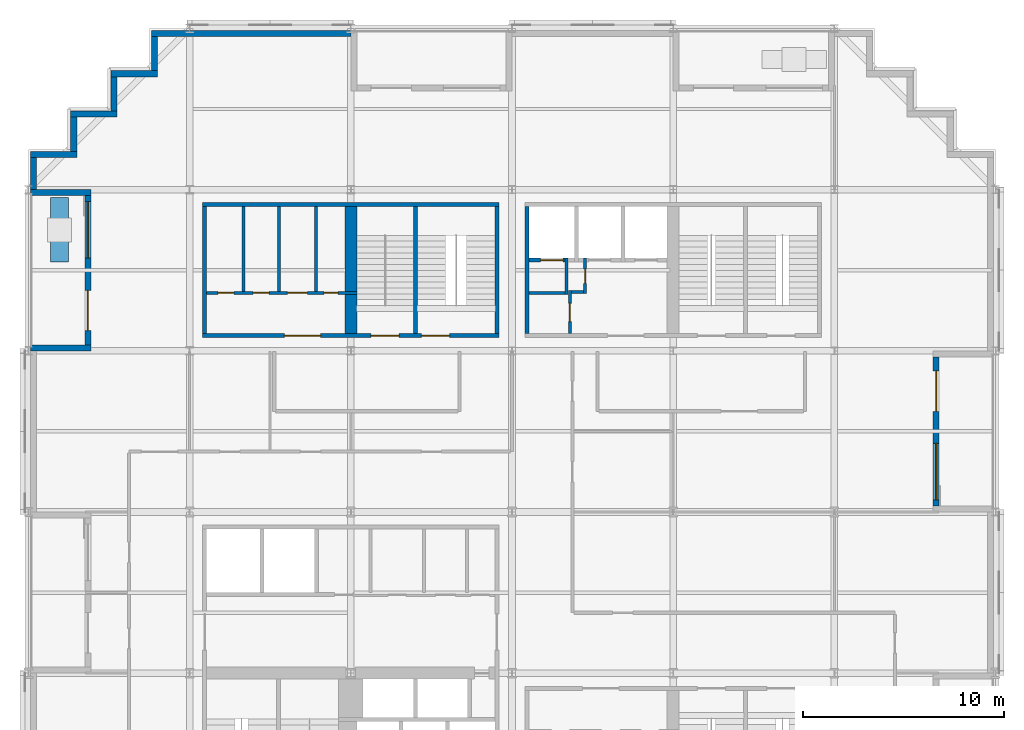
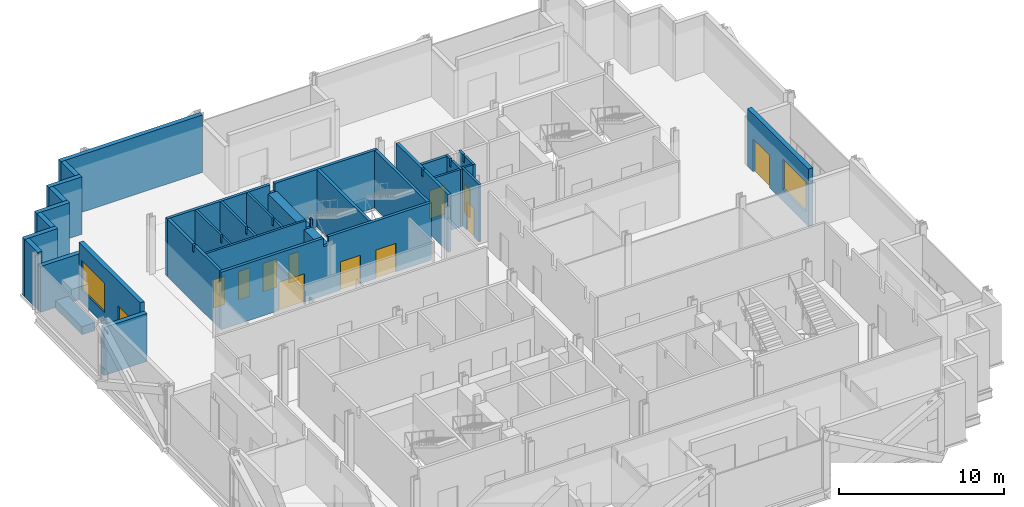
# One storey, part 8 of 13: 31 walls, 12 doors, 2 windows, 14 openings.
"""IFC4 building model written with IfcOpenShell, lengths in metres."""

from ifc_helpers import new_model, si_unit, direction, frame, frame_2d, origin, place, context, subcontext, project, spatial, polyline, rectangle, outline, extrude, material, layer, layer_set, type_object, element, fill, save


model = new_model("IFC4")

# Units and contexts
model_context = context("Model", 3, precision=1e-05, world=origin(), true_north=direction((0.0, 1.0)))
body_context = subcontext(model_context, "Body", "Model", "MODEL_VIEW")
ifc_project = project(units=[si_unit("LENGTHUNIT", "METRE"), si_unit("AREAUNIT", "SQUARE_METRE"), si_unit("VOLUMEUNIT", "CUBIC_METRE"), si_unit("PLANEANGLEUNIT", "RADIAN"), si_unit("MASSUNIT", "GRAM", prefix="KILO")], contexts=[model_context])

# Site, building, storey
site_placement = place(None, origin())
site = spatial("IfcSite", under=ifc_project, at=site_placement, CompositionType="ELEMENT")
building_placement = place(site_placement, origin())
building = spatial("IfcBuilding", under=site, at=building_placement, Name="Immortelle Media Tower", CompositionType="ELEMENT")
storey_placement = place(building_placement, frame((0.0, 0.0, 56.800048828125)))
storey = spatial("IfcBuildingStorey", under=building, at=storey_placement, Name="L09", CompositionType="ELEMENT", Elevation=56.800048828125)

# Wall, openings, doors
ifc_material_1 = material(Name="Fire-rated gypsum board", Category="gypsum")
ifc_layer_1 = layer(ifc_material_1, 0.02490234375)
ifc_material_2 = material(Name="Steel ASTM A653 SS Gr 50 stud frame with mineral wool", Category="steel")
ifc_layer_2 = layer(ifc_material_2, 0.10009765625)
ifc_layer_3 = layer(ifc_material_1, 0.02490234375)
ifc_layer_set_1 = layer_set([ifc_layer_1, ifc_layer_2, ifc_layer_3], Name="Steel ASTM A653 SS Gr 50 stud frame with mineral wool")
wall_type_1 = type_object("IfcWallType", Name="Core partition 150", PredefinedType="PARTITIONING", material=ifc_layer_set_1)
wall_1_placement = place(storey_placement, frame((8.85009765625, 34.875, 0.0), z_axis=(0.0, 0.0, 1.0), x_axis=(1.0, 0.0, 0.0)))
wall_1 = element("IfcWall", 1, at=wall_1_placement, inside=storey, type_object=wall_type_1, Name="Core partition NW", PredefinedType="PARTITIONING", context=body_context, shape_type="SweptSolid", body=[
    extrude(outline(polyline([(0.0, 0.0), (7.449951171875, 0.0), (7.449951171875, 4.25), (7.31689453125, 4.25), (7.31591796875, 3.6318359375), (6.98388671875, 3.6318359375), (6.98291015625, 4.25), (0.0, 4.25), (0.0, 0.0)])), frame((0.0, 0.074951171875, 0.0), z_axis=(0.0, -1.0, 0.0), x_axis=(1.0, 0.0, 0.0)), (0.0, 0.0, 1.0), 0.14990234375),
])
opening_1_placement = place(wall_1_placement, frame((0.550048828125, 0.0, 0.0)))
opening_1 = element("IfcOpeningElement", 2, at=opening_1_placement, cuts=wall_1, Name="Opening N2-K047", PredefinedType="OPENING", context=body_context, shape_type="SweptSolid", body=[
    extrude(rectangle(XDim=0.800048828125, YDim=2.10009765625, at=frame_2d((0.39990234375, 1.050048828125))), frame((0.0, 0.0849609375, 0.0), z_axis=(0.0, -1.0, 0.0), x_axis=(1.0, 0.0, 0.0)), (0.0, 0.0, 1.0), 0.169921875),
])
opening_2_placement = place(wall_1_placement, frame((2.300048828125, 0.0, 0.0)))
opening_2 = element("IfcOpeningElement", 3, at=opening_2_placement, cuts=wall_1, Name="Opening N2-K048", PredefinedType="OPENING", context=body_context, shape_type="SweptSolid", body=[
    extrude(rectangle(XDim=0.800048828125, YDim=2.10009765625, at=frame_2d((0.39990234375, 1.050048828125))), frame((0.0, 0.0849609375, 0.0), z_axis=(0.0, -1.0, 0.0), x_axis=(1.0, 0.0, 0.0)), (0.0, 0.0, 1.0), 0.169921875),
])
opening_3_placement = place(wall_1_placement, frame((4.0, 0.0, 0.0)))
opening_3 = element("IfcOpeningElement", 4, at=opening_3_placement, cuts=wall_1, Name="Opening N2-K049", PredefinedType="OPENING", context=body_context, shape_type="SweptSolid", body=[
    extrude(rectangle(XDim=1.0, YDim=2.10009765625, at=frame_2d((0.5, 1.050048828125))), frame((0.0, 0.0849609375, 0.0), z_axis=(0.0, -1.0, 0.0), x_axis=(1.0, 0.0, 0.0)), (0.0, 0.0, 1.0), 0.169921875),
])
opening_4_placement = place(wall_1_placement, frame((5.824951171875, 0.0, 0.0)))
opening_4 = element("IfcOpeningElement", 5, at=opening_4_placement, cuts=wall_1, Name="Opening N2-K050", PredefinedType="OPENING", context=body_context, shape_type="SweptSolid", body=[
    extrude(rectangle(XDim=0.699951171875, YDim=2.10009765625, at=frame_2d((0.35009765625, 1.050048828125))), frame((0.0, 0.0849609375, 0.0), z_axis=(0.0, -1.0, 0.0), x_axis=(1.0, 0.0, 0.0)), (0.0, 0.0, 1.0), 0.169921875),
])
ifc_material_3 = material(Name="Timber", Category="wood")
door_type_1 = type_object("IfcDoorType", Name="Accessible toilet door 1000 x 2100", OperationType="NOTDEFINED", PredefinedType="NOTDEFINED", material=ifc_material_3)
door_1_placement = place(opening_3_placement, origin())
door_1 = element("IfcDoor", 6, at=door_1_placement, inside=storey, type_object=door_type_1, Name="Accessible toilet N2-K049", OperationType="SINGLE_SWING_LEFT", OverallHeight=2.10009765625, OverallWidth=1.0, PredefinedType="NOTDEFINED", context=body_context, shape_type="SweptSolid", body=[
    extrude(rectangle(XDim=1.0, YDim=2.10009765625, at=frame_2d((0.5, 1.050048828125))), frame((0.0, 0.02490234375, 0.0), z_axis=(0.0, -1.0, 0.0), x_axis=(1.0, 0.0, 0.0)), (0.0, 0.0, 1.0), 0.050048828125),
])
fill(opening_3, door_1)
ifc_material_4 = material(Name="Galvanised steel door leaf and frame ASTM A653", Category="steel")
door_type_2 = type_object("IfcDoorType", Name="Service door 700 x 2100", OperationType="NOTDEFINED", PredefinedType="NOTDEFINED", material=ifc_material_4)
door_2_placement = place(opening_4_placement, origin())
door_2 = element("IfcDoor", 7, at=door_2_placement, inside=storey, type_object=door_type_2, Name="Service N2-K050", OperationType="SINGLE_SWING_RIGHT", OverallHeight=2.10009765625, OverallWidth=0.699951171875, PredefinedType="NOTDEFINED", context=body_context, shape_type="SweptSolid", body=[
    extrude(rectangle(XDim=0.699951171875, YDim=2.10009765625, at=frame_2d((0.35009765625, 1.050048828125))), frame((0.0, 0.02490234375, 0.0), z_axis=(0.0, -1.0, 0.0), x_axis=(1.0, 0.0, 0.0)), (0.0, 0.0, 1.0), 0.050048828125),
])
fill(opening_4, door_2)
door_type_3 = type_object("IfcDoorType", Name="Toilet door 800 x 2100", OperationType="NOTDEFINED", PredefinedType="NOTDEFINED", material=ifc_material_3)
door_3_placement = place(opening_1_placement, origin())
door_3 = element("IfcDoor", 8, at=door_3_placement, inside=storey, type_object=door_type_3, Name="Toilet N2-K047", OperationType="SINGLE_SWING_RIGHT", OverallHeight=2.10009765625, OverallWidth=0.800048828125, PredefinedType="NOTDEFINED", context=body_context, shape_type="SweptSolid", body=[
    extrude(rectangle(XDim=0.800048828125, YDim=2.10009765625, at=frame_2d((0.39990234375, 1.050048828125))), frame((0.0, 0.02490234375, 0.0), z_axis=(0.0, -1.0, 0.0), x_axis=(1.0, 0.0, 0.0)), (0.0, 0.0, 1.0), 0.050048828125),
])
fill(opening_1, door_3)
door_4_placement = place(opening_2_placement, origin())
door_4 = element("IfcDoor", 9, at=door_4_placement, inside=storey, type_object=door_type_3, Name="Toilet N2-K048", OperationType="SINGLE_SWING_RIGHT", OverallHeight=2.10009765625, OverallWidth=0.800048828125, PredefinedType="NOTDEFINED", context=body_context, shape_type="SweptSolid", body=[
    extrude(rectangle(XDim=0.800048828125, YDim=2.10009765625, at=frame_2d((0.39990234375, 1.050048828125))), frame((0.0, 0.02490234375, 0.0), z_axis=(0.0, -1.0, 0.0), x_axis=(1.0, 0.0, 0.0)), (0.0, 0.0, 1.0), 0.050048828125),
])
fill(opening_2, door_4)

# Walls
for number, where, z_axis, x_axis, name in (
    (10, (10.675048828125, 34.949951171875, 0.0), (0.0, 0.0, 1.0), (0.0, 1.0, 0.0), "Core partition NW"),
    (11, (12.425048828125, 34.949951171875, 0.0), (0.0, 0.0, 1.0), (0.0, 1.0, 0.0), "Core partition NW"),
    (12, (14.27490234375, 34.949951171875, 0.0), (0.0, 0.0, 1.0), (0.0, 1.0, 0.0), "Core partition NW"),
):
    element("IfcWall", number, at=place(storey_placement, frame(where, z_axis=z_axis, x_axis=x_axis)), inside=storey, type_object=wall_type_1, Name=name, PredefinedType="PARTITIONING", context=body_context, shape_type="SweptSolid", body=[
        extrude(outline(polyline([(0.0, 0.0), (4.199951171875, 0.0), (4.199951171875, 4.25), (1.138427734375, 4.25), (1.137451171875, 3.7080078125), (0.96240234375, 3.7080078125), (0.96142578125, 4.25), (0.0, 4.25), (0.0, 0.0)])), frame((0.0, 0.074951171875, 0.0), z_axis=(0.0, -1.0, 0.0), x_axis=(1.0, 0.0, 0.0)), (0.0, 0.0, 1.0), 0.14990234375),
    ])
wall_2_placement = place(storey_placement, frame((24.85009765625, 34.875, 0.0), z_axis=(0.0, 0.0, 1.0), x_axis=(1.0, 0.0, 0.0)))
element("IfcWall", 13, at=wall_2_placement, inside=storey, type_object=wall_type_1, Name="Core partition NE", PredefinedType="PARTITIONING", context=body_context, shape_type="SweptSolid", body=[
    extrude(rectangle(XDim=1.77490234375, YDim=0.14990234375, at=frame_2d((0.887451171875, 0.0))), origin(), (0.0, 0.0, 1.0), 4.25),
])
wall_3_placement = place(storey_placement, frame((26.699951171875, 34.800048828125, 0.0), z_axis=(0.0, 0.0, 1.0), x_axis=(0.0, 1.0, 0.0)))
element("IfcWall", 14, at=wall_3_placement, inside=storey, type_object=wall_type_1, Name="Core partition NE", PredefinedType="PARTITIONING", context=body_context, shape_type="SweptSolid", body=[
    extrude(outline(polyline([(0.0, 0.0), (1.800048828125, 0.0), (1.800048828125, 4.25), (1.28857421875, 4.25), (1.28759765625, 3.7080078125), (1.112548828125, 3.7080078125), (1.111572265625, 4.25), (0.0, 4.25), (0.0, 0.0)])), frame((0.0, 0.074951171875, 0.0), z_axis=(0.0, -1.0, 0.0), x_axis=(1.0, 0.0, 0.0)), (0.0, 0.0, 1.0), 0.14990234375),
])

# Wall, opening, door
wall_4_placement = place(storey_placement, frame((26.875, 32.85009765625, 0.0), z_axis=(0.0, 0.0, 1.0), x_axis=(0.0, 1.0, 0.0)))
wall_4 = element("IfcWall", 15, at=wall_4_placement, inside=storey, type_object=wall_type_1, Name="Core partition NE", PredefinedType="PARTITIONING", context=body_context, shape_type="SweptSolid", body=[
    extrude(rectangle(XDim=2.14990234375, YDim=0.14990234375, at=frame_2d((1.074951171875, 0.0))), origin(), (0.0, 0.0, 1.0), 4.25),
])
opening_5_placement = place(wall_4_placement, frame((0.60009765625, 0.0, 0.0)))
opening_5 = element("IfcOpeningElement", 16, at=opening_5_placement, cuts=wall_4, Name="Opening N2-K031", PredefinedType="OPENING", context=body_context, shape_type="SweptSolid", body=[
    extrude(rectangle(XDim=0.89990234375, YDim=2.10009765625, at=frame_2d((0.449951171875, 1.050048828125))), frame((0.0, 0.0849609375, 0.0), z_axis=(0.0, -1.0, 0.0), x_axis=(1.0, 0.0, 0.0)), (0.0, 0.0, 1.0), 0.169921875),
])
door_type_4 = type_object("IfcDoorType", Name="Service door 900 x 2100", OperationType="NOTDEFINED", PredefinedType="NOTDEFINED", material=ifc_material_4)
door_5_placement = place(opening_5_placement, origin())
door_5 = element("IfcDoor", 17, at=door_5_placement, inside=storey, type_object=door_type_4, Name="Service N2-K031", OperationType="SINGLE_SWING_RIGHT", OverallHeight=2.10009765625, OverallWidth=0.89990234375, PredefinedType="NOTDEFINED", context=body_context, shape_type="SweptSolid", body=[
    extrude(rectangle(XDim=0.89990234375, YDim=2.10009765625, at=frame_2d((0.449951171875, 1.050048828125))), frame((0.0, 0.02490234375, 0.0), z_axis=(0.0, -1.0, 0.0), x_axis=(1.0, 0.0, 0.0)), (0.0, 0.0, 1.0), 0.050048828125),
])
fill(opening_5, door_5)

# Wall
wall_5_placement = place(storey_placement, frame((26.949951171875, 34.925048828125, 0.0), z_axis=(0.0, 0.0, 1.0), x_axis=(1.0, 0.0, 0.0)))
element("IfcWall", 18, at=wall_5_placement, inside=storey, type_object=wall_type_1, Name="Core partition NE", PredefinedType="PARTITIONING", context=body_context, shape_type="SweptSolid", body=[
    extrude(rectangle(XDim=0.60009765625, YDim=0.14990234375, at=frame_2d((0.300048828125, 0.0))), origin(), (0.0, 0.0, 1.0), 4.25),
])

# Wall, opening, door
wall_6_placement = place(storey_placement, frame((27.625, 34.85009765625, 0.0), z_axis=(0.0, 0.0, 1.0), x_axis=(0.0, 1.0, 0.0)))
wall_6 = element("IfcWall", 19, at=wall_6_placement, inside=storey, type_object=wall_type_1, Name="Core partition NE", PredefinedType="PARTITIONING", context=body_context, shape_type="SweptSolid", body=[
    extrude(outline(polyline([(0.0, 0.0), (1.75, 0.0), (1.75, 4.25), (1.238525390625, 4.25), (1.237548828125, 3.7080078125), (1.0625, 3.7080078125), (1.0615234375, 4.25), (0.0, 4.25), (0.0, 0.0)])), frame((0.0, 0.074951171875, 0.0), z_axis=(0.0, -1.0, 0.0), x_axis=(1.0, 0.0, 0.0)), (0.0, 0.0, 1.0), 0.14990234375),
])
opening_6_placement = place(wall_6_placement, frame((0.5, 0.0, 0.0)))
opening_6 = element("IfcOpeningElement", 20, at=opening_6_placement, cuts=wall_6, Name="Opening N2-K032", PredefinedType="OPENING", context=body_context, shape_type="SweptSolid", body=[
    extrude(rectangle(XDim=0.699951171875, YDim=2.10009765625, at=frame_2d((0.35009765625, 1.050048828125))), frame((0.0, 0.0849609375, 0.0), z_axis=(0.0, -1.0, 0.0), x_axis=(1.0, 0.0, 0.0)), (0.0, 0.0, 1.0), 0.169921875),
])
door_6_placement = place(opening_6_placement, origin())
door_6 = element("IfcDoor", 21, at=door_6_placement, inside=storey, type_object=door_type_2, Name="Service N2-K032", OperationType="SINGLE_SWING_RIGHT", OverallHeight=2.10009765625, OverallWidth=0.699951171875, PredefinedType="NOTDEFINED", context=body_context, shape_type="SweptSolid", body=[
    extrude(rectangle(XDim=0.699951171875, YDim=2.10009765625, at=frame_2d((0.35009765625, 1.050048828125))), frame((0.0, 0.02490234375, 0.0), z_axis=(0.0, -1.0, 0.0), x_axis=(1.0, 0.0, 0.0)), (0.0, 0.0, 1.0), 0.050048828125),
])
fill(opening_6, door_6)

# Walls
ifc_layer_4 = layer(ifc_material_1, 0.03759765625)
ifc_layer_5 = layer(ifc_material_2, 0.125)
ifc_layer_6 = layer(ifc_material_1, 0.03759765625)
ifc_layer_set_2 = layer_set([ifc_layer_4, ifc_layer_5, ifc_layer_6], Name="Steel ASTM A653 SS Gr 50 stud frame with mineral wool")
wall_type_2 = type_object("IfcWallType", Name="Core shaft wall 200", PredefinedType="PARTITIONING", material=ifc_layer_set_2)
for number, where, z_axis, x_axis, name in (
    (22, (8.75, 32.85009765625, 0.0), (0.0, 0.0, 1.0), (0.0, 1.0, 0.0), "Core shaft wall NW"),
    (23, (24.75, 32.85009765625, 0.0), (0.0, 0.0, 1.0), (0.0, 1.0, 0.0), "Core shaft wall NE"),
):
    element("IfcWall", number, at=place(storey_placement, frame(where, z_axis=z_axis, x_axis=x_axis)), inside=storey, type_object=wall_type_2, Name=name, PredefinedType="PARTITIONING", context=body_context, shape_type="SweptSolid", body=[
        extrude(outline(polyline([(0.0, 0.0), (6.2998046875, 0.0), (6.300048828125, 4.25), (3.238525390625, 4.25), (3.237548828125, 3.7080078125), (3.0625, 3.7080078125), (3.0615234375, 4.25), (0.0, 4.25), (0.0, 0.0)])), frame((0.0, 0.10009765625, 0.0), z_axis=(0.0, -1.0, 0.0), x_axis=(1.0, 0.0, 0.0)), (0.0, 0.0, 1.0), 0.199951171875),
    ])

# Wall, opening, door
wall_7_placement = place(storey_placement, frame((24.85009765625, 36.5, 0.0), z_axis=(0.0, 0.0, 1.0), x_axis=(1.0, 0.0, 0.0)))
wall_7 = element("IfcWall", 24, at=wall_7_placement, inside=storey, type_object=wall_type_2, Name="Core shaft wall NE", PredefinedType="PARTITIONING", context=body_context, shape_type="SweptSolid", body=[
    extrude(rectangle(XDim=1.77490234375, YDim=0.199951171875, at=frame_2d((0.887451171875, 0.0))), origin(), (0.0, 0.0, 1.0), 4.25),
])
opening_7_placement = place(wall_7_placement, frame((0.574951171875, 0.0, 0.0)))
opening_7 = element("IfcOpeningElement", 25, at=opening_7_placement, cuts=wall_7, Name="Opening LD", PredefinedType="OPENING", context=body_context, shape_type="SweptSolid", body=[
    extrude(rectangle(XDim=1.10009765625, YDim=2.10009765625, at=frame_2d((0.550048828125, 1.050048828125))), frame((0.0, 0.10986328125, 0.0), z_axis=(0.0, -1.0, 0.0), x_axis=(1.0, 0.0, 0.0)), (0.0, 0.0, 1.0), 0.219970703125),
])
ifc_material_5 = material(Name="Stainless steel AISI 304", Category="steel")
door_type_5 = type_object("IfcDoorType", Name="Landing door 1100 x 2100", OperationType="SLIDING_TO_LEFT", PredefinedType="NOTDEFINED", material=ifc_material_5)
door_7_placement = place(opening_7_placement, origin())
door_7 = element("IfcDoor", 26, at=door_7_placement, inside=storey, type_object=door_type_5, Name="Landing door LR1 L09", OperationType="SLIDING_TO_LEFT", OverallHeight=2.10009765625, OverallWidth=1.10009765625, PredefinedType="NOTDEFINED", context=body_context, shape_type="SweptSolid", body=[
    extrude(rectangle(XDim=1.10009765625, YDim=2.10009765625, at=frame_2d((0.550048828125, 1.050048828125))), frame((0.0, 0.02490234375, 0.0), z_axis=(0.0, -1.0, 0.0), x_axis=(1.0, 0.0, 0.0)), (0.0, 0.0, 1.0), 0.050048828125),
])
fill(opening_7, door_7)

# Wall
ifc_material_6 = material(Name="Pale aluminium cladding panel", Category="aluminium")
ifc_layer_7 = layer(ifc_material_6, 0.030029296875)
ifc_layer_8 = layer(ifc_material_2, 0.257568359375)
ifc_material_7 = material(Name="Moisture-resistant gypsum board", Category="gypsum")
ifc_layer_9 = layer(ifc_material_7, 0.012451171875)
ifc_layer_set_3 = layer_set([ifc_layer_7, ifc_layer_8, ifc_layer_9], Name="Steel ASTM A653 SS Gr 50 stud frame with mineral wool")
wall_type_3 = type_object("IfcWallType", Name="Facade wall 300", PredefinedType="SOLIDWALL", material=ifc_layer_set_3)
wall_8_placement = place(storey_placement, frame((0.25, 41.60009765625, 0.0), z_axis=(0.0, 0.0, 1.0), x_axis=(0.0, -1.0, 0.0)))
element("IfcWall", 27, at=wall_8_placement, inside=storey, type_object=wall_type_3, Name="Facade wall L09 W0", PredefinedType="SOLIDWALL", context=body_context, shape_type="SweptSolid", body=[
    extrude(rectangle(XDim=1.60009765625, YDim=0.300048828125, at=frame_2d((0.800048828125, 0.0))), origin(), (0.0, 0.0, 1.0), 4.25),
])

# Wall, openings, door, window
wall_9_placement = place(storey_placement, frame((2.949951171875, 39.699951171875, 0.0), z_axis=(0.0, 0.0, 1.0), x_axis=(0.0, -1.0, 0.0)))
wall_9 = element("IfcWall", 28, at=wall_9_placement, inside=storey, type_object=wall_type_3, Name="Loggia wall L09 W0", PredefinedType="SOLIDWALL", context=body_context, shape_type="SweptSolid", body=[
    extrude(rectangle(XDim=7.39990234375, YDim=0.300048828125, at=frame_2d((3.699951171875, 0.0))), origin(), (0.0, 0.0, 1.0), 4.25),
])
opening_8_placement = place(wall_9_placement, frame((0.300048828125, 0.0, 0.89990234375)))
opening_8 = element("IfcOpeningElement", 29, at=opening_8_placement, cuts=wall_9, Name="Opening W1", PredefinedType="OPENING", context=body_context, shape_type="SweptSolid", body=[
    extrude(rectangle(XDim=2.800048828125, YDim=2.199951171875, at=frame_2d((1.39990234375, 1.10009765625))), frame((0.0, 0.159912109375, 0.0), z_axis=(0.0, -1.0, 0.0), x_axis=(1.0, 0.0, 0.0)), (0.0, 0.0, 1.0), 0.320068359375),
])
opening_9_placement = place(wall_9_placement, frame((4.699951171875, 0.0, 0.0)))
opening_9 = element("IfcOpeningElement", 30, at=opening_9_placement, cuts=wall_9, Name="Opening N2-E001", PredefinedType="OPENING", context=body_context, shape_type="SweptSolid", body=[
    extrude(rectangle(XDim=2.0, YDim=2.39990234375, at=frame_2d((1.0, 1.199951171875))), frame((0.0, 0.159912109375, 0.0), z_axis=(0.0, -1.0, 0.0), x_axis=(1.0, 0.0, 0.0)), (0.0, 0.0, 1.0), 0.320068359375),
])
ifc_material_8 = material(Name="Aluminium frame, glazed leaves", Category="aluminium")
door_type_6 = type_object("IfcDoorType", Name="Loggia door 2000 x 2400", OperationType="DOUBLE_DOOR_SINGLE_SWING", PredefinedType="DOOR", material=ifc_material_8)
door_8_placement = place(opening_9_placement, origin())
door_8 = element("IfcDoor", 31, at=door_8_placement, inside=storey, type_object=door_type_6, Name="Door N2-E001", OperationType="DOUBLE_DOOR_SINGLE_SWING", OverallHeight=2.39990234375, OverallWidth=2.0, PredefinedType="DOOR", context=body_context, shape_type="SweptSolid", body=[
    extrude(rectangle(XDim=2.0, YDim=2.39990234375, at=frame_2d((1.0, 1.199951171875))), frame((0.0, 0.02490234375, 0.0), z_axis=(0.0, -1.0, 0.0), x_axis=(1.0, 0.0, 0.0)), (0.0, 0.0, 1.0), 0.050048828125),
])
fill(opening_9, door_8)
ifc_material_9 = material(Name="Aluminium frame", Category="aluminium")
window_type = type_object("IfcWindowType", Name="Window 2800 x 2200", PartitioningType="SINGLE_PANEL", PredefinedType="WINDOW", material=ifc_material_9)
window_1_placement = place(opening_8_placement, origin())
window_1 = element("IfcWindow", 32, at=window_1_placement, inside=storey, type_object=window_type, Name="Window L09 L09-R0-B0", OverallHeight=2.199951171875, OverallWidth=2.800048828125, PartitioningType="SINGLE_PANEL", PredefinedType="WINDOW", context=body_context, shape_type="SweptSolid", body=[
    extrude(rectangle(XDim=2.800048828125, YDim=2.199951171875, at=frame_2d((1.39990234375, 1.10009765625))), frame((0.0, 0.030029296875, 0.0), z_axis=(0.0, -1.0, 0.0), x_axis=(1.0, 0.0, 0.0)), (0.0, 0.0, 1.0), 0.06005859375),
])
fill(opening_8, window_1)

# Walls
wall_10_placement = place(storey_placement, frame((0.10009765625, 39.85009765625, 0.0), z_axis=(0.0, 0.0, 1.0), x_axis=(1.0, 0.0, 0.0)))
element("IfcWall", 33, at=wall_10_placement, inside=storey, type_object=wall_type_3, Name="Loggia cheek wall L09 W", PredefinedType="SOLIDWALL", context=body_context, shape_type="SweptSolid", body=[
    extrude(rectangle(XDim=3.0, YDim=0.300048828125, at=frame_2d((1.5, 0.0))), origin(), (0.0, 0.0, 1.0), 3.389892578125),
])
wall_11_placement = place(storey_placement, frame((0.10009765625, 32.14990234375, 0.0), z_axis=(0.0, 0.0, 1.0), x_axis=(1.0, 0.0, 0.0)))
element("IfcWall", 34, at=wall_11_placement, inside=storey, type_object=wall_type_3, Name="Loggia cheek wall L09 W", PredefinedType="SOLIDWALL", context=body_context, shape_type="SweptSolid", body=[
    extrude(rectangle(XDim=3.0, YDim=0.300048828125, at=frame_2d((1.5, 0.0))), origin(), (0.0, 0.0, 1.0), 3.552978515625),
])

# Wall, openings, door, window
wall_12_placement = place(storey_placement, frame((45.050048828125, 24.300048828125, 0.0), z_axis=(0.0, 0.0, 1.0), x_axis=(0.0, 1.0, 0.0)))
wall_12 = element("IfcWall", 35, at=wall_12_placement, inside=storey, type_object=wall_type_3, Name="Loggia wall L09 E14", PredefinedType="SOLIDWALL", context=body_context, shape_type="SweptSolid", body=[
    extrude(rectangle(XDim=7.39990234375, YDim=0.300048828125, at=frame_2d((3.699951171875, 0.0))), origin(), (0.0, 0.0, 1.0), 4.25),
])
opening_10_placement = place(wall_12_placement, frame((0.300048828125, 0.0, 0.89990234375)))
opening_10 = element("IfcOpeningElement", 36, at=opening_10_placement, cuts=wall_12, Name="Opening W1", PredefinedType="OPENING", context=body_context, shape_type="SweptSolid", body=[
    extrude(rectangle(XDim=2.800048828125, YDim=2.199951171875, at=frame_2d((1.39990234375, 1.10009765625))), frame((0.0, 0.159912109375, 0.0), z_axis=(0.0, -1.0, 0.0), x_axis=(1.0, 0.0, 0.0)), (0.0, 0.0, 1.0), 0.320068359375),
])
opening_11_placement = place(wall_12_placement, frame((4.699951171875, 0.0, 0.0)))
opening_11 = element("IfcOpeningElement", 37, at=opening_11_placement, cuts=wall_12, Name="Opening N2-E006", PredefinedType="OPENING", context=body_context, shape_type="SweptSolid", body=[
    extrude(rectangle(XDim=2.0, YDim=2.39990234375, at=frame_2d((1.0, 1.199951171875))), frame((0.0, 0.159912109375, 0.0), z_axis=(0.0, -1.0, 0.0), x_axis=(1.0, 0.0, 0.0)), (0.0, 0.0, 1.0), 0.320068359375),
])
door_9_placement = place(opening_11_placement, origin())
door_9 = element("IfcDoor", 38, at=door_9_placement, inside=storey, type_object=door_type_6, Name="Door N2-E006", OperationType="DOUBLE_DOOR_SINGLE_SWING", OverallHeight=2.39990234375, OverallWidth=2.0, PredefinedType="DOOR", context=body_context, shape_type="SweptSolid", body=[
    extrude(rectangle(XDim=2.0, YDim=2.39990234375, at=frame_2d((1.0, 1.199951171875))), frame((0.0, 0.02490234375, 0.0), z_axis=(0.0, -1.0, 0.0), x_axis=(1.0, 0.0, 0.0)), (0.0, 0.0, 1.0), 0.050048828125),
])
fill(opening_11, door_9)
window_2_placement = place(opening_10_placement, origin())
window_2 = element("IfcWindow", 39, at=window_2_placement, inside=storey, type_object=window_type, Name="Window L09 L09-R14-B2", OverallHeight=2.199951171875, OverallWidth=2.800048828125, PartitioningType="SINGLE_PANEL", PredefinedType="WINDOW", context=body_context, shape_type="SweptSolid", body=[
    extrude(rectangle(XDim=2.800048828125, YDim=2.199951171875, at=frame_2d((1.39990234375, 1.10009765625))), frame((0.0, 0.030029296875, 0.0), z_axis=(0.0, -1.0, 0.0), x_axis=(1.0, 0.0, 0.0)), (0.0, 0.0, 1.0), 0.06005859375),
])
fill(opening_10, window_2)

# Walls
wall_13_placement = place(storey_placement, frame((16.0, 47.75, 0.0), z_axis=(0.0, 0.0, 1.0), x_axis=(-1.0, 0.0, 0.0)))
element("IfcWall", 40, at=wall_13_placement, inside=storey, type_object=wall_type_3, Name="Facade wall L09 N21", PredefinedType="SOLIDWALL", context=body_context, shape_type="SweptSolid", body=[
    extrude(rectangle(XDim=9.89990234375, YDim=0.300048828125, at=frame_2d((4.949951171875, 0.0))), origin(), (0.0, 0.0, 1.0), 4.25),
])
wall_14_placement = place(storey_placement, frame((6.25, 47.60009765625, 0.0), z_axis=(0.0, 0.0, 1.0), x_axis=(0.0, -1.0, 0.0)))
element("IfcWall", 41, at=wall_14_placement, inside=storey, type_object=wall_type_3, Name="Facade wall L09 W22", PredefinedType="SOLIDWALL", context=body_context, shape_type="SweptSolid", body=[
    extrude(rectangle(XDim=1.7001953125, YDim=0.300048828125, at=frame_2d((0.85009765625, 0.0))), origin(), (0.0, 0.0, 1.0), 4.25),
])
wall_15_placement = place(storey_placement, frame((6.39990234375, 45.75, 0.0), z_axis=(0.0, 0.0, 1.0), x_axis=(-1.0, 0.0, 0.0)))
element("IfcWall", 42, at=wall_15_placement, inside=storey, type_object=wall_type_3, Name="Facade wall L09 N23", PredefinedType="SOLIDWALL", context=body_context, shape_type="SweptSolid", body=[
    extrude(rectangle(XDim=2.2998046875, YDim=0.300048828125, at=frame_2d((1.14990234375, 0.0))), origin(), (0.0, 0.0, 1.0), 4.25),
])
wall_16_placement = place(storey_placement, frame((4.25, 45.60009765625, 0.0), z_axis=(0.0, 0.0, 1.0), x_axis=(0.0, -1.0, 0.0)))
element("IfcWall", 43, at=wall_16_placement, inside=storey, type_object=wall_type_3, Name="Facade wall L09 W24", PredefinedType="SOLIDWALL", context=body_context, shape_type="SweptSolid", body=[
    extrude(rectangle(XDim=1.7001953125, YDim=0.300048828125, at=frame_2d((0.85009765625, 0.0))), origin(), (0.0, 0.0, 1.0), 4.25),
])
wall_17_placement = place(storey_placement, frame((4.39990234375, 43.75, 0.0), z_axis=(0.0, 0.0, 1.0), x_axis=(-1.0, 0.0, 0.0)))
element("IfcWall", 44, at=wall_17_placement, inside=storey, type_object=wall_type_3, Name="Facade wall L09 N25", PredefinedType="SOLIDWALL", context=body_context, shape_type="SweptSolid", body=[
    extrude(rectangle(XDim=2.2998046875, YDim=0.300048828125, at=frame_2d((1.14990234375, 0.0))), origin(), (0.0, 0.0, 1.0), 4.25),
])
wall_18_placement = place(storey_placement, frame((2.25, 43.60009765625, 0.0), z_axis=(0.0, 0.0, 1.0), x_axis=(0.0, -1.0, 0.0)))
element("IfcWall", 45, at=wall_18_placement, inside=storey, type_object=wall_type_3, Name="Facade wall L09 W26", PredefinedType="SOLIDWALL", context=body_context, shape_type="SweptSolid", body=[
    extrude(rectangle(XDim=1.7001953125, YDim=0.300048828125, at=frame_2d((0.85009765625, 0.0))), origin(), (0.0, 0.0, 1.0), 4.25),
])
wall_19_placement = place(storey_placement, frame((2.39990234375, 41.75, 0.0), z_axis=(0.0, 0.0, 1.0), x_axis=(-1.0, 0.0, 0.0)))
element("IfcWall", 46, at=wall_19_placement, inside=storey, type_object=wall_type_3, Name="Facade wall L09 N27", PredefinedType="SOLIDWALL", context=body_context, shape_type="SweptSolid", body=[
    extrude(rectangle(XDim=2.2998046875, YDim=0.300048828125, at=frame_2d((1.14990234375, 0.0))), origin(), (0.0, 0.0, 1.0), 4.25),
])
ifc_layer_10 = layer(ifc_material_6, 0.0029296875)
ifc_material_10 = material(Name="Steel ASTM A572 Gr 50 planter shell", Category="steel")
ifc_layer_11 = layer(ifc_material_10, 0.011962890625)
ifc_material_11 = material(Name="Planting substrate", Category="soil")
ifc_layer_12 = layer(ifc_material_11, 0.873046875)
ifc_layer_13 = layer(ifc_material_10, 0.011962890625)
ifc_layer_set_4 = layer_set([ifc_layer_10, ifc_layer_11, ifc_layer_12, ifc_layer_13], Name="Steel ASTM A572 Gr 50 planter shell")
wall_type_4 = type_object("IfcWallType", Name="Planter wall 900", PredefinedType="SOLIDWALL", material=ifc_layer_set_4)
wall_20_placement = place(storey_placement, frame((1.550048828125, 39.60009765625, 0.0), z_axis=(0.0, 0.0, 1.0), x_axis=(0.0, -1.0, 0.0)))
element("IfcWall", 47, at=wall_20_placement, inside=storey, type_object=wall_type_4, Name="Planter L09 W0", PredefinedType="SOLIDWALL", context=body_context, shape_type="SweptSolid", body=[
    extrude(rectangle(XDim=3.2001953125, YDim=0.89990234375, at=frame_2d((1.60009765625, 0.0))), origin(), (0.0, 0.0, 1.0), 0.599853515625),
])

# Wall, openings, doors
ifc_material_12 = material(Name="Concrete C60", Category="concrete")
ifc_layer_14 = layer(ifc_material_12, 0.199951171875)
ifc_layer_set_5 = layer_set([ifc_layer_14], Name="Concrete C60")
wall_type_5 = type_object("IfcWallType", Name="Stair shaft wall 200", PredefinedType="PARTITIONING", material=ifc_layer_set_5)
wall_21_placement = place(storey_placement, frame((8.64990234375, 32.75, 0.0), z_axis=(0.0, 0.0, 1.0), x_axis=(1.0, 0.0, 0.0)))
wall_21 = element("IfcWall", 48, at=wall_21_placement, inside=storey, type_object=wall_type_5, Name="Stair shaft wall NW", PredefinedType="PARTITIONING", context=body_context, shape_type="SweptSolid", body=[
    extrude(outline(polyline([(0.0, 0.0), (14.7001953125, 0.0), (14.699951171875, 4.25), (7.51708984375, 4.25), (7.51611328125, 3.6318359375), (7.18408203125, 3.6318359375), (7.18310546875, 4.25), (0.0, 4.25), (0.0, 0.0)])), frame((0.0, 0.10009765625, 0.0), z_axis=(0.0, -1.0, 0.0), x_axis=(1.0, 0.0, 0.0)), (0.0, 0.0, 1.0), 0.199951171875),
])
opening_12_placement = place(wall_21_placement, frame((4.050048828125, 0.0, 0.0)))
opening_12 = element("IfcOpeningElement", 49, at=opening_12_placement, cuts=wall_21, Name="Opening N2-K026", PredefinedType="OPENING", context=body_context, shape_type="SweptSolid", body=[
    extrude(rectangle(XDim=1.800048828125, YDim=2.10009765625, at=frame_2d((0.89990234375, 1.050048828125))), frame((0.0, 0.10986328125, 0.0), z_axis=(0.0, -1.0, 0.0), x_axis=(1.0, 0.0, 0.0)), (0.0, 0.0, 1.0), 0.219970703125),
])
opening_13_placement = place(wall_21_placement, frame((8.35009765625, 0.0, 0.0)))
opening_13 = element("IfcOpeningElement", 50, at=opening_13_placement, cuts=wall_21, Name="Opening N2-K028", PredefinedType="OPENING", context=body_context, shape_type="SweptSolid", body=[
    extrude(rectangle(XDim=1.39990234375, YDim=2.10009765625, at=frame_2d((0.699951171875, 1.050048828125))), frame((0.0, 0.10986328125, 0.0), z_axis=(0.0, -1.0, 0.0), x_axis=(1.0, 0.0, 0.0)), (0.0, 0.0, 1.0), 0.219970703125),
])
opening_14_placement = place(wall_21_placement, frame((10.85009765625, 0.0, 0.0)))
opening_14 = element("IfcOpeningElement", 51, at=opening_14_placement, cuts=wall_21, Name="Opening N2-K029", PredefinedType="OPENING", context=body_context, shape_type="SweptSolid", body=[
    extrude(rectangle(XDim=1.39990234375, YDim=2.10009765625, at=frame_2d((0.699951171875, 1.050048828125))), frame((0.0, 0.10986328125, 0.0), z_axis=(0.0, -1.0, 0.0), x_axis=(1.0, 0.0, 0.0)), (0.0, 0.0, 1.0), 0.219970703125),
])
door_type_7 = type_object("IfcDoorType", Name="Lift lobby door 1800 x 2100", OperationType="DOUBLE_DOOR_SINGLE_SWING", PredefinedType="NOTDEFINED", material=ifc_material_4)
door_10_placement = place(opening_12_placement, origin())
door_10 = element("IfcDoor", 52, at=door_10_placement, inside=storey, type_object=door_type_7, Name="Lift lobby N2-K026", OperationType="DOUBLE_DOOR_SINGLE_SWING", OverallHeight=2.10009765625, OverallWidth=1.800048828125, PredefinedType="NOTDEFINED", context=body_context, shape_type="SweptSolid", body=[
    extrude(rectangle(XDim=1.800048828125, YDim=2.10009765625, at=frame_2d((0.89990234375, 1.050048828125))), frame((0.0, 0.02490234375, 0.0), z_axis=(0.0, -1.0, 0.0), x_axis=(1.0, 0.0, 0.0)), (0.0, 0.0, 1.0), 0.050048828125),
])
fill(opening_12, door_10)
door_type_8 = type_object("IfcDoorType", Name="Stair door 1400 x 2100", OperationType="DOUBLE_DOOR_SINGLE_SWING", PredefinedType="NOTDEFINED", material=ifc_material_4)
door_11_placement = place(opening_13_placement, origin())
door_11 = element("IfcDoor", 53, at=door_11_placement, inside=storey, type_object=door_type_8, Name="Stair N2-K028", OperationType="DOUBLE_DOOR_SINGLE_SWING", OverallHeight=2.10009765625, OverallWidth=1.39990234375, PredefinedType="NOTDEFINED", context=body_context, shape_type="SweptSolid", body=[
    extrude(rectangle(XDim=1.39990234375, YDim=2.10009765625, at=frame_2d((0.699951171875, 1.050048828125))), frame((0.0, 0.02490234375, 0.0), z_axis=(0.0, -1.0, 0.0), x_axis=(1.0, 0.0, 0.0)), (0.0, 0.0, 1.0), 0.050048828125),
])
fill(opening_13, door_11)
door_12_placement = place(opening_14_placement, origin())
door_12 = element("IfcDoor", 54, at=door_12_placement, inside=storey, type_object=door_type_8, Name="Stair N2-K029", OperationType="DOUBLE_DOOR_SINGLE_SWING", OverallHeight=2.10009765625, OverallWidth=1.39990234375, PredefinedType="NOTDEFINED", context=body_context, shape_type="SweptSolid", body=[
    extrude(rectangle(XDim=1.39990234375, YDim=2.10009765625, at=frame_2d((0.699951171875, 1.050048828125))), frame((0.0, 0.02490234375, 0.0), z_axis=(0.0, -1.0, 0.0), x_axis=(1.0, 0.0, 0.0)), (0.0, 0.0, 1.0), 0.050048828125),
])
fill(opening_14, door_12)

# Walls
wall_22_placement = place(storey_placement, frame((8.64990234375, 39.25, 0.0), z_axis=(0.0, 0.0, 1.0), x_axis=(1.0, 0.0, 0.0)))
element("IfcWall", 55, at=wall_22_placement, inside=storey, type_object=wall_type_5, Name="Stair shaft wall NW", PredefinedType="PARTITIONING", context=body_context, shape_type="SweptSolid", body=[
    extrude(outline(polyline([(0.0, 0.0), (14.7001953125, 0.0), (14.699951171875, 4.25), (7.51708984375, 4.25), (7.51611328125, 3.6318359375), (7.18408203125, 3.6318359375), (7.18310546875, 4.25), (0.0, 4.25), (0.0, 0.0)])), frame((0.0, 0.10009765625, 0.0), z_axis=(0.0, -1.0, 0.0), x_axis=(1.0, 0.0, 0.0)), (0.0, 0.0, 1.0), 0.199951171875),
])
for number, where, z_axis, x_axis, name in (
    (56, (19.199951171875, 32.85009765625, 0.0), (0.0, 0.0, 1.0), (0.0, 1.0, 0.0), "Stair shaft wall NW"),
    (57, (23.25, 32.85009765625, 0.0), (0.0, 0.0, 1.0), (0.0, 1.0, 0.0), "Stair shaft wall NW"),
):
    element("IfcWall", number, at=place(storey_placement, frame(where, z_axis=z_axis, x_axis=x_axis)), inside=storey, type_object=wall_type_5, Name=name, PredefinedType="PARTITIONING", context=body_context, shape_type="SweptSolid", body=[
        extrude(rectangle(XDim=6.2998046875, YDim=0.199951171875, at=frame_2d((3.14990234375, 0.0))), origin(), (0.0, 0.0, 1.0), 4.25),
    ])
ifc_layer_15 = layer(ifc_material_12, 0.60009765625)
ifc_layer_set_6 = layer_set([ifc_layer_15], Name="Concrete C60")
wall_type_6 = type_object("IfcWallType", Name="Stair shaft wall 600", PredefinedType="PARTITIONING", material=ifc_layer_set_6)
wall_23_placement = place(storey_placement, frame((16.0, 32.85009765625, 0.0), z_axis=(0.0, 0.0, 1.0), x_axis=(0.0, 1.0, 0.0)))
element("IfcWall", 58, at=wall_23_placement, inside=storey, type_object=wall_type_6, Name="Stair shaft wall NW", PredefinedType="PARTITIONING", context=body_context, shape_type="SweptSolid", body=[
    extrude(rectangle(XDim=1.949951171875, YDim=0.60009765625, at=frame_2d((0.97509765625, 0.0))), origin(), (0.0, 0.0, 1.0), 3.6318359375),
])
wall_24_placement = place(storey_placement, frame((16.0, 34.949951171875, 0.0), z_axis=(0.0, 0.0, 1.0), x_axis=(0.0, 1.0, 0.0)))
element("IfcWall", 59, at=wall_24_placement, inside=storey, type_object=wall_type_6, Name="Stair shaft wall NW", PredefinedType="PARTITIONING", context=body_context, shape_type="SweptSolid", body=[
    extrude(rectangle(XDim=4.199951171875, YDim=0.60009765625, at=frame_2d((2.10009765625, 0.0))), origin(), (0.0, 0.0, 1.0), 3.6318359375),
])

save(model, "model.ifc")
